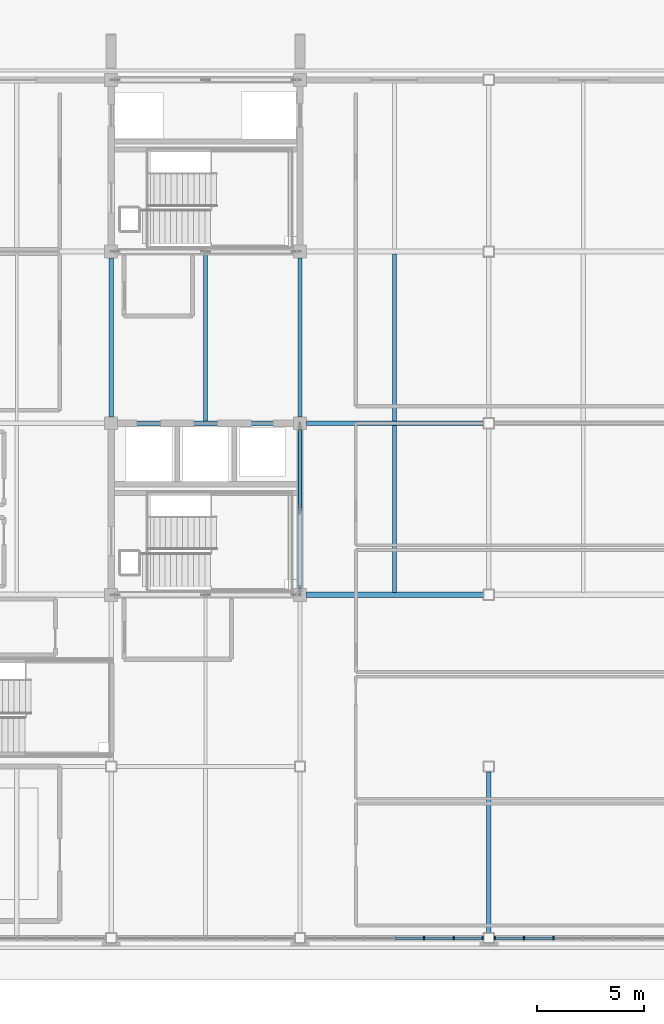
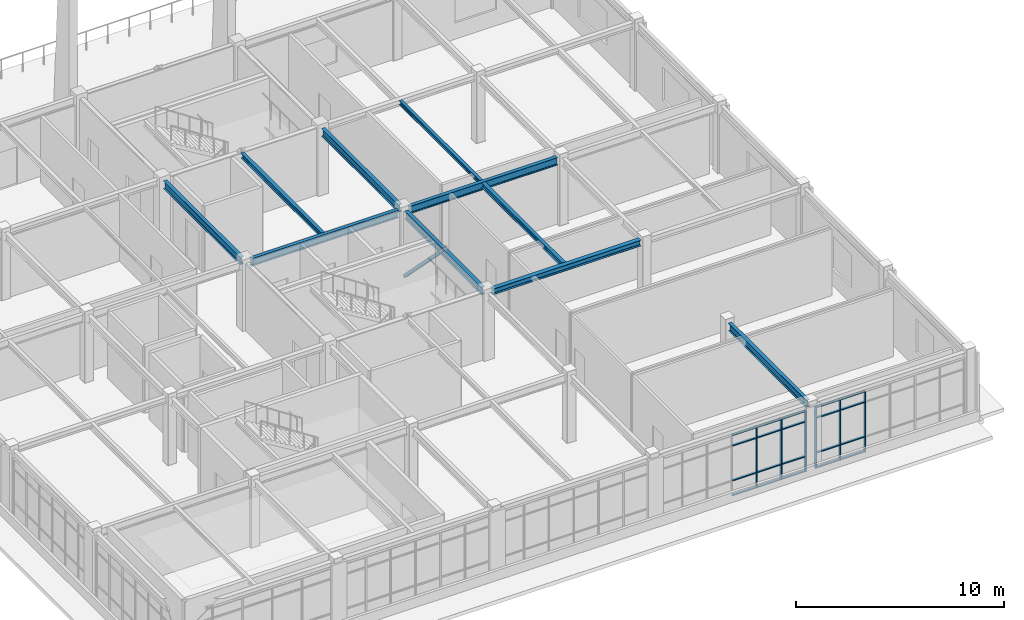
# One storey, part 6 of 22: 27 members, 10 beams, 2 elements without a shape of their own.
"""IFC4 building model written with IfcOpenShell, lengths in metres."""

import ifcopenshell
import ifcopenshell.guid

model = None  # the IFC model being written
_history = None  # IfcOwnerHistory: only IFC2X3 demands one
_inside = {}  # id of a spatial element -> (the spatial element, [elements in it])
_under = {}  # id of a project, library or spatial element -> (it, [spatial elements below it])
_declared = {}  # id of a project -> (the project, [libraries it declares])
_typed = {}  # id of a type object -> (the type object, [elements of that type])
_made_of = {}  # id of a material, layer set ... -> (it, [elements and type objects made of it])


def new_model(schema):
    """Start an empty IFC model of exactly this schema.

    Asked for "IFC4X3", IfcOpenShell would pick the latest addendum, in which some entities
    have other attributes; the version numbers below select the first issue.
    IFC2X3 requires an IfcOwnerHistory on every rooted entity: one is made here for all.
    """
    global model, _history
    if schema == "IFC4X3":
        model = ifcopenshell.file(schema_version=(4, 3, 0, 0))
    else:
        model = ifcopenshell.file(schema=schema)
    _inside.clear()
    _under.clear()
    _declared.clear()
    _typed.clear()
    _made_of.clear()
    _history = None
    if model.schema == "IFC2X3":
        org = make("IfcOrganization", Name="unknown")
        user = make(
            "IfcPersonAndOrganization",
            ThePerson=make("IfcPerson", FamilyName="unknown"),
            TheOrganization=org,
        )
        app = make(
            "IfcApplication",
            ApplicationDeveloper=org,
            Version="unknown",
            ApplicationFullName="unknown",
            ApplicationIdentifier="unknown",
        )
        _history = make(
            "IfcOwnerHistory",
            OwningUser=user,
            OwningApplication=app,
            ChangeAction="ADDED",
            CreationDate=0,
        )
    return model


def make(cls, **values):
    """One entity of the class cls with the attributes given. An attribute that is None is left unset."""
    return model.create_entity(
        cls, **{name: value for name, value in values.items() if value is not None}
    )


def rooted(cls, **values):
    """An entity with a GlobalId (a new one), such as an element, a storey or a relation."""
    return make(cls, GlobalId=ifcopenshell.guid.new(), OwnerHistory=_history, **values)


def si_unit(unit_type, name, prefix=None):
    """IfcSIUnit, for example si_unit("LENGTHUNIT", "METRE", prefix="MILLI")."""
    return make("IfcSIUnit", UnitType=unit_type, Prefix=prefix, Name=name)


def assignment(units):
    """IfcUnitAssignment: the units of a project."""
    return None if units is None else make("IfcUnitAssignment", Units=units)


def point(xyz):
    """IfcCartesianPoint."""
    return None if xyz is None else make("IfcCartesianPoint", Coordinates=xyz)


def direction(xyz):
    """IfcDirection."""
    return None if xyz is None else make("IfcDirection", DirectionRatios=xyz)


def frame(location, z_axis=None, x_axis=None):
    """IfcAxis2Placement3D, a coordinate frame: its origin and axes. An axis left out is left unset."""
    return make(
        "IfcAxis2Placement3D",
        Location=point(location),
        Axis=direction(z_axis),
        RefDirection=direction(x_axis),
    )


def frame_2d(location, x_axis=None):
    """IfcAxis2Placement2D, a coordinate frame in the plane: its origin and x axis."""
    return make(
        "IfcAxis2Placement2D", Location=point(location), RefDirection=direction(x_axis)
    )


def origin():
    """The frame at (0, 0, 0) with its axes left unset."""
    return frame((0.0, 0.0, 0.0))


def origin_2d():
    """The frame at (0, 0) in the plane with its x axis left unset."""
    return frame_2d((0.0, 0.0))


def place(relative_to, where):
    """IfcLocalPlacement: puts the frame where relative to a parent placement (None: the world)."""
    return make(
        "IfcLocalPlacement", PlacementRelTo=relative_to, RelativePlacement=where
    )


def context(
    kind, dimensions, precision=None, world=None, true_north=None, identifier=None
):
    """IfcGeometricRepresentationContext, for example the 3D "Model" context."""
    return make(
        "IfcGeometricRepresentationContext",
        ContextIdentifier=identifier,
        ContextType=kind,
        CoordinateSpaceDimension=dimensions,
        Precision=precision,
        WorldCoordinateSystem=world,
        TrueNorth=true_north,
    )


def subcontext(parent, identifier, kind, view, scale=None):
    """IfcGeometricRepresentationSubContext, for example "Body" below "Model"."""
    return make(
        "IfcGeometricRepresentationSubContext",
        ContextIdentifier=identifier,
        ContextType=kind,
        ParentContext=parent,
        TargetScale=scale,
        TargetView=view,
    )


def project(units=None, contexts=None):
    """IfcProject with its units and contexts."""
    return rooted(
        "IfcProject",
        Name="project",
        RepresentationContexts=contexts,
        UnitsInContext=assignment(units),
    )


def spatial(cls, under=None, at=None, **own):
    """A site, building, storey or space (cls), placed at a placement, below another one or the project."""
    s = rooted(cls, ObjectPlacement=at, **own)
    if under is not None:
        _under.setdefault(under.id(), (under, []))[1].append(s)
    return s


def profile(cls, at=None, kind="AREA", **sizes):
    """A parametric profile (cls). Its sizes go by their IFC names, for example OverallWidth=200.0."""
    return make(cls, ProfileType=kind, Position=at, **sizes)


def rectangle(**sizes):
    """IfcRectangleProfileDef."""
    return profile("IfcRectangleProfileDef", **sizes)


def hollow_rectangle(**sizes):
    """IfcRectangleHollowProfileDef."""
    return profile("IfcRectangleHollowProfileDef", **sizes)


def i_section(**sizes):
    """IfcIShapeProfileDef."""
    return profile("IfcIShapeProfileDef", **sizes)


def extrude(swept, where, along, depth):
    """IfcExtrudedAreaSolid: the profile swept, set in the frame where, extruded along a direction by depth."""
    return make(
        "IfcExtrudedAreaSolid",
        SweptArea=swept,
        Position=where,
        ExtrudedDirection=direction(along),
        Depth=depth,
    )


def shape(context_of_items, identifier, shape_type, items):
    """IfcShapeRepresentation: the items that make up one representation, for example the "Body"."""
    return make(
        "IfcShapeRepresentation",
        ContextOfItems=context_of_items,
        RepresentationIdentifier=identifier,
        RepresentationType=shape_type,
        Items=items,
    )


def material(Name=None, Category=None):
    """IfcMaterial."""
    return make("IfcMaterial", Name=Name, Category=Category)


def material_profile(
    of_material, cross_section, Name=None, Category=None, Priority=None
):
    """IfcMaterialProfile: a cross section and its material."""
    return make(
        "IfcMaterialProfile",
        Name=Name,
        Material=of_material,
        Profile=cross_section,
        Priority=Priority,
        Category=Category,
    )


def profile_set(profiles, Name=None, composite=None):
    """IfcMaterialProfileSet."""
    return make(
        "IfcMaterialProfileSet",
        Name=Name,
        MaterialProfiles=profiles,
        CompositeProfile=composite,
    )


def made_of(thing, what):
    """Note that an element or type object is made of a material, layer set ...; save() writes the relation."""
    if what is not None:
        _made_of.setdefault(what.id(), (what, []))[1].append(thing)
    return thing


def type_object(cls, material=None, **own):
    """A type object (cls), such as IfcWallType, which elements share."""
    return made_of(rooted(cls, **own), material)


def element(
    cls,
    number,
    at=None,
    inside=None,
    cuts=None,
    type_object=None,
    material=None,
    context=None,
    identifier="Body",
    shape_type=None,
    held_by="IfcProductDefinitionShape",
    body=None,
    shapes=None,
    **own,
):
    """One element of the class cls, such as IfcWall. Its Tag is "e" and its number.

    at: its placement. inside: the storey or other place that contains it. cuts: it is an
    opening in that element (IfcRelVoidsElement). A single representation is given by context,
    identifier, shape_type and body (its items); several are given by shapes. held_by: the class
    of the entity that holds the representations. save() writes the other relations.
    """
    e = rooted(cls, Tag="e%d" % number, ObjectPlacement=at, **own)
    if body is not None:
        shapes = [shape(context, identifier, shape_type, body)]
    if shapes is not None:
        e.Representation = make(held_by, Representations=shapes)
    if inside is not None:
        _inside.setdefault(inside.id(), (inside, []))[1].append(e)
    if cuts is not None:
        rooted(
            "IfcRelVoidsElement", RelatingBuildingElement=cuts, RelatedOpeningElement=e
        )
    if type_object is not None:
        _typed.setdefault(type_object.id(), (type_object, []))[1].append(e)
    return made_of(e, material)


def aggregate(whole, parts):
    """IfcRelAggregates: a whole, such as a stair, and the parts it consists of."""
    return rooted("IfcRelAggregates", RelatingObject=whole, RelatedObjects=parts)


def save(model, path):
    """Write the relations noted so far, then the file.

    IfcRelAggregates (storeys below a building ...), IfcRelContainedInSpatialStructure (elements
    in a storey), IfcRelDefinesByType, IfcRelAssociatesMaterial and IfcRelDeclares: one each for
    every whole, place, type object, material and project.
    """
    for whole, parts in _under.values():
        aggregate(whole, parts)
    for where, things in _inside.values():
        rooted(
            "IfcRelContainedInSpatialStructure",
            RelatedElements=things,
            RelatingStructure=where,
        )
    for kind, things in _typed.values():
        rooted("IfcRelDefinesByType", RelatedObjects=things, RelatingType=kind)
    for what, things in _made_of.values():
        rooted("IfcRelAssociatesMaterial", RelatedObjects=things, RelatingMaterial=what)
    for by, libraries in _declared.values():
        rooted("IfcRelDeclares", RelatingContext=by, RelatedDefinitions=libraries)
    model.write(path)


model = new_model("IFC4")

# Units and contexts
model_context = context("Model", 3, precision=1e-05, world=origin(), true_north=direction((0.0, 1.0)))
body_context = subcontext(model_context, "Body", "Model", "MODEL_VIEW")
ifc_project = project(units=[si_unit("LENGTHUNIT", "METRE"), si_unit("AREAUNIT", "SQUARE_METRE"), si_unit("VOLUMEUNIT", "CUBIC_METRE"), si_unit("PLANEANGLEUNIT", "RADIAN"), si_unit("MASSUNIT", "GRAM", prefix="KILO")], contexts=[model_context])

# Site, building, storey
site_placement = place(None, origin())
site = spatial("IfcSite", under=ifc_project, at=site_placement, CompositionType="ELEMENT")
building_placement = place(site_placement, origin())
building = spatial("IfcBuilding", under=site, at=building_placement, Name="Zhaolan Boulevard Law Courts", CompositionType="ELEMENT")
storey_placement = place(building_placement, frame((0.0, 0.0, 28.800048828125)))
storey = spatial("IfcBuildingStorey", under=building, at=storey_placement, Name="L06", CompositionType="ELEMENT", Elevation=28.800048828125)

# Member
ifc_material_1 = material(Name="Structural steel Q355B", Category="steel")
ifc_material_profile_1 = material_profile(ifc_material_1, hollow_rectangle(XDim=0.179931640625, YDim=0.179931640625, WallThickness=0.008056640625, InnerFilletRadius=0.008056640625, OuterFilletRadius=0.01611328125, at=origin_2d()), Name="HSS180x180x8")
ifc_profile_set_1 = profile_set([ifc_material_profile_1], Name="Structural steel Q355B")
member_type_1 = type_object("IfcMemberType", Name="BRACE HSS180", PredefinedType="BRACE", material=ifc_profile_set_1)
member_1_placement = place(storey_placement, frame((26.39990234375, 53.820068359375, 0.030029296875), z_axis=(0.0, -0.700674230962, 0.713481339676), x_axis=(1.0, 0.0, 0.0)))
element("IfcMember", 1, at=member_1_placement, inside=storey, type_object=member_type_1, Name="Core Brace BR-W1-L06-E2", PredefinedType="BRACE", context=body_context, shape_type="SweptSolid", body=[
    extrude(hollow_rectangle(XDim=0.179931640625, YDim=0.179931640625, WallThickness=0.008056640625, InnerFilletRadius=0.008056640625, OuterFilletRadius=0.01611328125, at=origin_2d()), origin(), (0.0, 0.0, 1.0), 5.451904296875),
])

# Curtain wall, members
ifc_material_2 = material(Name="Thermally broken aluminium and low-E glazing", Category="aluminium")
curtain_wall_type_1 = type_object("IfcCurtainWallType", Name="CURTAIN WALL M11", PredefinedType="USERDEFINED", material=ifc_material_2)
curtain_wall_1_placement = place(storey_placement, origin())
curtain_wall_1 = element("IfcCurtainWall", 2, at=curtain_wall_1_placement, inside=storey, type_object=curtain_wall_type_1, Name="Curtain Wall CW-L06-227", ObjectType="CURTAIN WALL", PredefinedType="USERDEFINED")
ifc_material_3 = material(Name="Fluorocarbon-coated aluminium 6063-T6", Category="aluminium")
ifc_material_profile_2 = material_profile(ifc_material_3, rectangle(XDim=0.159912109375, YDim=0.06005859375, at=origin_2d()), Name="AL60x160")
ifc_profile_set_2 = profile_set([ifc_material_profile_2], Name="Fluorocarbon-coated aluminium 6063-T6")
member_type_2 = type_object("IfcMemberType", Name="CWMULLION 60X160", PredefinedType="MULLION", material=ifc_profile_set_2)
member_2_placement = place(storey_placement, frame((32.1826171875, 30.0, 0.0), z_axis=(0.0, 0.0, 1.0), x_axis=(0.0, 1.0, 0.0)))
member_2 = element("IfcMember", 3, at=member_2_placement, type_object=member_type_2, Name="CW-L06-227 mullion 5", PredefinedType="MULLION", context=body_context, shape_type="SweptSolid", body=[
    extrude(rectangle(XDim=0.159912109375, YDim=0.06005859375, at=origin_2d()), origin(), (0.0, 0.0, 1.0), 3.593017578125),
])
member_3_placement = place(storey_placement, frame((33.5654296875, 30.0, 0.0), z_axis=(0.0, 0.0, 1.0), x_axis=(0.0, 1.0, 0.0)))
member_3 = element("IfcMember", 4, at=member_3_placement, type_object=member_type_2, Name="CW-L06-227 mullion 6", PredefinedType="MULLION", context=body_context, shape_type="SweptSolid", body=[
    extrude(rectangle(XDim=0.159912109375, YDim=0.06005859375, at=origin_2d()), origin(), (0.0, 0.0, 1.0), 3.593017578125),
])
member_4_placement = place(storey_placement, frame((34.91796875, 30.0, 0.0), z_axis=(0.0, 0.0, 1.0), x_axis=(0.0, 1.0, 0.0)))
member_4 = element("IfcMember", 5, at=member_4_placement, type_object=member_type_2, Name="CW-L06-227 mullion 7", PredefinedType="MULLION", context=body_context, shape_type="SweptSolid", body=[
    extrude(rectangle(XDim=0.159912109375, YDim=0.06005859375, at=origin_2d()), origin(), (0.0, 0.0, 1.0), 3.593017578125),
])

ifc_material_4 = material(Name="Thermally broken aluminium and low-E glazing", Category="aluminium")
curtain_wall_type_2 = type_object("IfcCurtainWallType", Name="CURTAIN WALL M12", PredefinedType="USERDEFINED", material=ifc_material_4)
curtain_wall_2_placement = place(storey_placement, origin())
curtain_wall_2 = element("IfcCurtainWall", 6, at=curtain_wall_2_placement, inside=storey, type_object=curtain_wall_type_2, Name="Curtain Wall CW-L06-228", ObjectType="CURTAIN WALL", PredefinedType="USERDEFINED")
member_5_placement = place(storey_placement, frame((35.48193359375, 30.0, 0.0), z_axis=(0.0, 0.0, 1.0), x_axis=(0.0, 1.0, 0.0)))
member_5 = element("IfcMember", 7, at=member_5_placement, type_object=member_type_2, Name="CW-L06-228 mullion 1", PredefinedType="MULLION", context=body_context, shape_type="SweptSolid", body=[
    extrude(rectangle(XDim=0.159912109375, YDim=0.06005859375, at=origin_2d()), origin(), (0.0, 0.0, 1.0), 3.593017578125),
])
member_6_placement = place(storey_placement, frame((36.834716796875, 30.0, 0.0), z_axis=(0.0, 0.0, 1.0), x_axis=(0.0, 1.0, 0.0)))
member_6 = element("IfcMember", 8, at=member_6_placement, type_object=member_type_2, Name="CW-L06-228 mullion 2", PredefinedType="MULLION", context=body_context, shape_type="SweptSolid", body=[
    extrude(rectangle(XDim=0.159912109375, YDim=0.06005859375, at=origin_2d()), origin(), (0.0, 0.0, 1.0), 3.593017578125),
])
member_7_placement = place(storey_placement, frame((38.21728515625, 30.0, 0.0), z_axis=(0.0, 0.0, 1.0), x_axis=(0.0, 1.0, 0.0)))
member_7 = element("IfcMember", 9, at=member_7_placement, type_object=member_type_2, Name="CW-L06-228 mullion 3", PredefinedType="MULLION", context=body_context, shape_type="SweptSolid", body=[
    extrude(rectangle(XDim=0.159912109375, YDim=0.06005859375, at=origin_2d()), origin(), (0.0, 0.0, 1.0), 3.593017578125),
])

# Member
ifc_material_5 = material(Name="Fluorocarbon-coated aluminium 6063-T6", Category="aluminium")
ifc_material_profile_3 = material_profile(ifc_material_5, rectangle(XDim=0.1201171875, YDim=0.06005859375, at=origin_2d()), Name="AL60x120")
ifc_profile_set_3 = profile_set([ifc_material_profile_3], Name="Fluorocarbon-coated aluminium 6063-T6")
member_type_3 = type_object("IfcMemberType", Name="CWTRANSOM 60X120", PredefinedType="USERDEFINED", material=ifc_profile_set_3)
member_8_placement = place(storey_placement, frame((30.830078125, 30.0, 0.030029296875), z_axis=(1.0, 0.0, 0.0), x_axis=(0.0, 1.0, 0.0)))
member_8 = element("IfcMember", 10, at=member_8_placement, type_object=member_type_3, Name="CW-L06-227 transom 4.1", ObjectType="TRANSOM", PredefinedType="USERDEFINED", context=body_context, shape_type="SweptSolid", body=[
    extrude(rectangle(XDim=0.1201171875, YDim=0.06005859375, at=origin_2d()), origin(), (0.0, 0.0, 1.0), 1.322509765625),
])

member_9_placement = place(storey_placement, frame((30.830078125, 30.0, 0.89990234375), z_axis=(1.0, 0.0, 0.0), x_axis=(0.0, 1.0, 0.0)))
member_9 = element("IfcMember", 11, at=member_9_placement, type_object=member_type_3, Name="CW-L06-227 transom 4.2", ObjectType="TRANSOM", PredefinedType="USERDEFINED", context=body_context, shape_type="SweptSolid", body=[
    extrude(rectangle(XDim=0.1201171875, YDim=0.06005859375, at=origin_2d()), origin(), (0.0, 0.0, 1.0), 1.322509765625),
])

member_10_placement = place(storey_placement, frame((30.830078125, 30.0, 2.94287109375), z_axis=(1.0, 0.0, 0.0), x_axis=(0.0, 1.0, 0.0)))
member_10 = element("IfcMember", 12, at=member_10_placement, type_object=member_type_3, Name="CW-L06-227 transom 4.3", ObjectType="TRANSOM", PredefinedType="USERDEFINED", context=body_context, shape_type="SweptSolid", body=[
    extrude(rectangle(XDim=0.1201171875, YDim=0.06005859375, at=origin_2d()), origin(), (0.0, 0.0, 1.0), 1.322509765625),
])

member_11_placement = place(storey_placement, frame((30.830078125, 30.0, 3.56298828125), z_axis=(1.0, 0.0, 0.0), x_axis=(0.0, 1.0, 0.0)))
member_11 = element("IfcMember", 13, at=member_11_placement, type_object=member_type_3, Name="CW-L06-227 transom 4.4", ObjectType="TRANSOM", PredefinedType="USERDEFINED", context=body_context, shape_type="SweptSolid", body=[
    extrude(rectangle(XDim=0.1201171875, YDim=0.06005859375, at=origin_2d()), origin(), (0.0, 0.0, 1.0), 1.322509765625),
])

member_12_placement = place(storey_placement, frame((32.212646484375, 30.0, 0.030029296875), z_axis=(1.0, 0.0, 0.0), x_axis=(0.0, 1.0, 0.0)))
member_12 = element("IfcMember", 14, at=member_12_placement, type_object=member_type_3, Name="CW-L06-227 transom 5.1", ObjectType="TRANSOM", PredefinedType="USERDEFINED", context=body_context, shape_type="SweptSolid", body=[
    extrude(rectangle(XDim=0.1201171875, YDim=0.06005859375, at=origin_2d()), origin(), (0.0, 0.0, 1.0), 1.32275390625),
])

member_13_placement = place(storey_placement, frame((32.212646484375, 30.0, 0.89990234375), z_axis=(1.0, 0.0, 0.0), x_axis=(0.0, 1.0, 0.0)))
member_13 = element("IfcMember", 15, at=member_13_placement, type_object=member_type_3, Name="CW-L06-227 transom 5.2", ObjectType="TRANSOM", PredefinedType="USERDEFINED", context=body_context, shape_type="SweptSolid", body=[
    extrude(rectangle(XDim=0.1201171875, YDim=0.06005859375, at=origin_2d()), origin(), (0.0, 0.0, 1.0), 1.32275390625),
])

member_14_placement = place(storey_placement, frame((32.212646484375, 30.0, 2.94287109375), z_axis=(1.0, 0.0, 0.0), x_axis=(0.0, 1.0, 0.0)))
member_14 = element("IfcMember", 16, at=member_14_placement, type_object=member_type_3, Name="CW-L06-227 transom 5.3", ObjectType="TRANSOM", PredefinedType="USERDEFINED", context=body_context, shape_type="SweptSolid", body=[
    extrude(rectangle(XDim=0.1201171875, YDim=0.06005859375, at=origin_2d()), origin(), (0.0, 0.0, 1.0), 1.32275390625),
])

member_15_placement = place(storey_placement, frame((32.212646484375, 30.0, 3.56298828125), z_axis=(1.0, 0.0, 0.0), x_axis=(0.0, 1.0, 0.0)))
member_15 = element("IfcMember", 17, at=member_15_placement, type_object=member_type_3, Name="CW-L06-227 transom 5.4", ObjectType="TRANSOM", PredefinedType="USERDEFINED", context=body_context, shape_type="SweptSolid", body=[
    extrude(rectangle(XDim=0.1201171875, YDim=0.06005859375, at=origin_2d()), origin(), (0.0, 0.0, 1.0), 1.32275390625),
])

member_16_placement = place(storey_placement, frame((33.59521484375, 30.0, 0.030029296875), z_axis=(1.0, 0.0, 0.0), x_axis=(0.0, 1.0, 0.0)))
member_16 = element("IfcMember", 18, at=member_16_placement, type_object=member_type_3, Name="CW-L06-227 transom 6.1", ObjectType="TRANSOM", PredefinedType="USERDEFINED", context=body_context, shape_type="SweptSolid", body=[
    extrude(rectangle(XDim=0.1201171875, YDim=0.06005859375, at=origin_2d()), origin(), (0.0, 0.0, 1.0), 1.292724609375),
])

member_17_placement = place(storey_placement, frame((33.59521484375, 30.0, 0.89990234375), z_axis=(1.0, 0.0, 0.0), x_axis=(0.0, 1.0, 0.0)))
member_17 = element("IfcMember", 19, at=member_17_placement, type_object=member_type_3, Name="CW-L06-227 transom 6.2", ObjectType="TRANSOM", PredefinedType="USERDEFINED", context=body_context, shape_type="SweptSolid", body=[
    extrude(rectangle(XDim=0.1201171875, YDim=0.06005859375, at=origin_2d()), origin(), (0.0, 0.0, 1.0), 1.292724609375),
])

member_18_placement = place(storey_placement, frame((33.59521484375, 30.0, 2.94287109375), z_axis=(1.0, 0.0, 0.0), x_axis=(0.0, 1.0, 0.0)))
member_18 = element("IfcMember", 20, at=member_18_placement, type_object=member_type_3, Name="CW-L06-227 transom 6.3", ObjectType="TRANSOM", PredefinedType="USERDEFINED", context=body_context, shape_type="SweptSolid", body=[
    extrude(rectangle(XDim=0.1201171875, YDim=0.06005859375, at=origin_2d()), origin(), (0.0, 0.0, 1.0), 1.292724609375),
])

member_19_placement = place(storey_placement, frame((33.59521484375, 30.0, 3.56298828125), z_axis=(1.0, 0.0, 0.0), x_axis=(0.0, 1.0, 0.0)))
member_19 = element("IfcMember", 21, at=member_19_placement, type_object=member_type_3, Name="CW-L06-227 transom 6.4", ObjectType="TRANSOM", PredefinedType="USERDEFINED", context=body_context, shape_type="SweptSolid", body=[
    extrude(rectangle(XDim=0.1201171875, YDim=0.06005859375, at=origin_2d()), origin(), (0.0, 0.0, 1.0), 1.292724609375),
])

aggregate(curtain_wall_1, [member_2, member_3, member_4, member_8, member_9, member_10, member_11, member_12, member_13, member_14, member_15, member_16, member_17, member_18, member_19])

member_20_placement = place(storey_placement, frame((35.511962890625, 30.0, 0.030029296875), z_axis=(1.0, 0.0, 0.0), x_axis=(0.0, 1.0, 0.0)))
member_20 = element("IfcMember", 22, at=member_20_placement, type_object=member_type_3, Name="CW-L06-228 transom 1.1", ObjectType="TRANSOM", PredefinedType="USERDEFINED", context=body_context, shape_type="SweptSolid", body=[
    extrude(rectangle(XDim=0.1201171875, YDim=0.06005859375, at=origin_2d()), origin(), (0.0, 0.0, 1.0), 1.292724609375),
])

member_21_placement = place(storey_placement, frame((35.511962890625, 30.0, 0.89990234375), z_axis=(1.0, 0.0, 0.0), x_axis=(0.0, 1.0, 0.0)))
member_21 = element("IfcMember", 23, at=member_21_placement, type_object=member_type_3, Name="CW-L06-228 transom 1.2", ObjectType="TRANSOM", PredefinedType="USERDEFINED", context=body_context, shape_type="SweptSolid", body=[
    extrude(rectangle(XDim=0.1201171875, YDim=0.06005859375, at=origin_2d()), origin(), (0.0, 0.0, 1.0), 1.292724609375),
])

member_22_placement = place(storey_placement, frame((35.511962890625, 30.0, 2.94287109375), z_axis=(1.0, 0.0, 0.0), x_axis=(0.0, 1.0, 0.0)))
member_22 = element("IfcMember", 24, at=member_22_placement, type_object=member_type_3, Name="CW-L06-228 transom 1.3", ObjectType="TRANSOM", PredefinedType="USERDEFINED", context=body_context, shape_type="SweptSolid", body=[
    extrude(rectangle(XDim=0.1201171875, YDim=0.06005859375, at=origin_2d()), origin(), (0.0, 0.0, 1.0), 1.292724609375),
])

member_23_placement = place(storey_placement, frame((35.511962890625, 30.0, 3.56298828125), z_axis=(1.0, 0.0, 0.0), x_axis=(0.0, 1.0, 0.0)))
member_23 = element("IfcMember", 25, at=member_23_placement, type_object=member_type_3, Name="CW-L06-228 transom 1.4", ObjectType="TRANSOM", PredefinedType="USERDEFINED", context=body_context, shape_type="SweptSolid", body=[
    extrude(rectangle(XDim=0.1201171875, YDim=0.06005859375, at=origin_2d()), origin(), (0.0, 0.0, 1.0), 1.292724609375),
])

member_24_placement = place(storey_placement, frame((36.86474609375, 30.0, 0.030029296875), z_axis=(1.0, 0.0, 0.0), x_axis=(0.0, 1.0, 0.0)))
member_24 = element("IfcMember", 26, at=member_24_placement, type_object=member_type_3, Name="CW-L06-228 transom 2.1", ObjectType="TRANSOM", PredefinedType="USERDEFINED", context=body_context, shape_type="SweptSolid", body=[
    extrude(rectangle(XDim=0.1201171875, YDim=0.06005859375, at=origin_2d()), origin(), (0.0, 0.0, 1.0), 1.322509765625),
])

member_25_placement = place(storey_placement, frame((36.86474609375, 30.0, 0.89990234375), z_axis=(1.0, 0.0, 0.0), x_axis=(0.0, 1.0, 0.0)))
member_25 = element("IfcMember", 27, at=member_25_placement, type_object=member_type_3, Name="CW-L06-228 transom 2.2", ObjectType="TRANSOM", PredefinedType="USERDEFINED", context=body_context, shape_type="SweptSolid", body=[
    extrude(rectangle(XDim=0.1201171875, YDim=0.06005859375, at=origin_2d()), origin(), (0.0, 0.0, 1.0), 1.322509765625),
])

member_26_placement = place(storey_placement, frame((36.86474609375, 30.0, 2.94287109375), z_axis=(1.0, 0.0, 0.0), x_axis=(0.0, 1.0, 0.0)))
member_26 = element("IfcMember", 28, at=member_26_placement, type_object=member_type_3, Name="CW-L06-228 transom 2.3", ObjectType="TRANSOM", PredefinedType="USERDEFINED", context=body_context, shape_type="SweptSolid", body=[
    extrude(rectangle(XDim=0.1201171875, YDim=0.06005859375, at=origin_2d()), origin(), (0.0, 0.0, 1.0), 1.322509765625),
])

member_27_placement = place(storey_placement, frame((36.86474609375, 30.0, 3.56298828125), z_axis=(1.0, 0.0, 0.0), x_axis=(0.0, 1.0, 0.0)))
member_27 = element("IfcMember", 29, at=member_27_placement, type_object=member_type_3, Name="CW-L06-228 transom 2.4", ObjectType="TRANSOM", PredefinedType="USERDEFINED", context=body_context, shape_type="SweptSolid", body=[
    extrude(rectangle(XDim=0.1201171875, YDim=0.06005859375, at=origin_2d()), origin(), (0.0, 0.0, 1.0), 1.322509765625),
])

aggregate(curtain_wall_2, [member_5, member_6, member_7, member_20, member_21, member_22, member_23, member_24, member_25, member_26, member_27])

# Beams
ifc_material_6 = material(Name="Structural steel Q355B", Category="steel")
ifc_material_profile_4 = material_profile(ifc_material_6, i_section(OverallWidth=0.199951171875, OverallDepth=0.449951171875, WebThickness=0.009033203125, FlangeThickness=0.013916015625, FilletRadius=0.01611328125, at=origin_2d()), Name="HN450x200")
ifc_profile_set_4 = profile_set([ifc_material_profile_4], Name="Structural steel Q355B")
beam_type_1 = type_object("IfcBeamType", Name="GIRDER HN450", PredefinedType="BEAM", material=ifc_profile_set_4)
beam_1_placement = place(storey_placement, frame((17.89599609375, 54.0, 3.722900390625), z_axis=(1.0, 0.0, 0.0), x_axis=(0.0, 1.0, 0.0)))
element("IfcBeam", 30, at=beam_1_placement, inside=storey, type_object=beam_type_1, Name="Beam BX-L07-3-4-H", PredefinedType="BEAM", context=body_context, shape_type="SweptSolid", body=[
    extrude(i_section(OverallWidth=0.199951171875, OverallDepth=0.449951171875, WebThickness=0.009033203125, FlangeThickness=0.013916015625, FilletRadius=0.01611328125, at=origin_2d()), origin(), (0.0, 0.0, 1.0), 8.2080078125),
])
beam_2_placement = place(storey_placement, frame((26.696044921875, 54.0, 3.722900390625), z_axis=(1.0, 0.0, 0.0), x_axis=(0.0, 1.0, 0.0)))
element("IfcBeam", 31, at=beam_2_placement, inside=storey, type_object=beam_type_1, Name="Beam BX-L07-4-5-H", PredefinedType="BEAM", context=body_context, shape_type="SweptSolid", body=[
    extrude(i_section(OverallWidth=0.199951171875, OverallDepth=0.449951171875, WebThickness=0.009033203125, FlangeThickness=0.013916015625, FilletRadius=0.01611328125, at=origin_2d()), origin(), (0.0, 0.0, 1.0), 8.258056640625),
])
for number, where, z_axis, x_axis, name in (
    (32, (17.60009765625, 54.2958984375, 3.722900390625), (0.0, 1.0, 0.0), (-1.0, 0.0, 0.0), "Beam BY-L07-3-H-J"),
    (33, (26.39990234375, 46.2958984375, 3.722900390625), (0.0, 1.0, 0.0), (-1.0, 0.0, 0.0), "Beam BY-L07-4-G-H"),
    (34, (26.39990234375, 54.2958984375, 3.722900390625), (0.0, 1.0, 0.0), (-1.0, 0.0, 0.0), "Beam BY-L07-4-H-J"),
):
    element("IfcBeam", number, at=place(storey_placement, frame(where, z_axis=z_axis, x_axis=x_axis)), inside=storey, type_object=beam_type_1, Name=name, PredefinedType="BEAM", context=body_context, shape_type="SweptSolid", body=[
        extrude(i_section(OverallWidth=0.199951171875, OverallDepth=0.449951171875, WebThickness=0.009033203125, FlangeThickness=0.013916015625, FilletRadius=0.01611328125, at=origin_2d()), origin(), (0.0, 0.0, 1.0), 7.408203125),
    ])
beam_3_placement = place(storey_placement, frame((35.199951171875, 30.24609375, 3.722900390625), z_axis=(0.0, 1.0, 0.0), x_axis=(-1.0, 0.0, 0.0)))
element("IfcBeam", 35, at=beam_3_placement, inside=storey, type_object=beam_type_1, Name="Beam BY-L07-5-E-F", PredefinedType="BEAM", context=body_context, shape_type="SweptSolid", body=[
    extrude(i_section(OverallWidth=0.199951171875, OverallDepth=0.449951171875, WebThickness=0.009033203125, FlangeThickness=0.013916015625, FilletRadius=0.01611328125, at=origin_2d()), origin(), (0.0, 0.0, 1.0), 7.5078125),
])
ifc_material_7 = material(Name="Structural steel Q355B", Category="steel")
ifc_material_profile_5 = material_profile(ifc_material_7, i_section(OverallWidth=0.175048828125, OverallDepth=0.243896484375, WebThickness=0.007080078125, FlangeThickness=0.010986328125, FilletRadius=0.012939453125, at=origin_2d()), Name="HM244x175")
ifc_profile_set_5 = profile_set([ifc_material_profile_5], Name="Structural steel Q355B")
beam_type_2 = type_object("IfcBeamType", Name="JOIST HM244", PredefinedType="JOIST", material=ifc_profile_set_5)
beam_4_placement = place(storey_placement, frame((30.800048828125, 54.095947265625, 3.825927734375), z_axis=(0.0, 1.0, 0.0), x_axis=(-1.0, 0.0, 0.0)))
element("IfcBeam", 36, at=beam_4_placement, inside=storey, type_object=beam_type_2, Name="Composite Joist J-L07-4H", PredefinedType="JOIST", context=body_context, shape_type="SweptSolid", body=[
    extrude(i_section(OverallWidth=0.175048828125, OverallDepth=0.243896484375, WebThickness=0.007080078125, FlangeThickness=0.010986328125, FilletRadius=0.012939453125, at=origin_2d()), origin(), (0.0, 0.0, 1.0), 7.782958984375),
])
ifc_material_8 = material(Name="Structural steel Q355B", Category="steel")
ifc_material_profile_6 = material_profile(ifc_material_8, i_section(OverallWidth=0.199951171875, OverallDepth=0.2939453125, WebThickness=0.008056640625, FlangeThickness=0.011962890625, FilletRadius=0.01611328125, at=origin_2d()), Name="HM294x200")
ifc_profile_set_6 = profile_set([ifc_material_profile_6], Name="Structural steel Q355B")
beam_type_3 = type_object("IfcBeamType", Name="JOIST HM294", PredefinedType="JOIST", material=ifc_profile_set_6)
for number, where, z_axis, x_axis, name in (
    (37, (22.0, 54.095947265625, 3.801025390625), (0.0, 1.0, 0.0), (-1.0, 0.0, 0.0), "Composite Joist J-L07-3H"),
    (38, (30.800048828125, 46.12109375, 3.801025390625), (0.0, 1.0, 0.0), (-1.0, 0.0, 0.0), "Composite Joist J-L07-4G"),
):
    element("IfcBeam", number, at=place(storey_placement, frame(where, z_axis=z_axis, x_axis=x_axis)), inside=storey, type_object=beam_type_3, Name=name, PredefinedType="JOIST", context=body_context, shape_type="SweptSolid", body=[
        extrude(i_section(OverallWidth=0.199951171875, OverallDepth=0.2939453125, WebThickness=0.008056640625, FlangeThickness=0.011962890625, FilletRadius=0.01611328125, at=origin_2d()), origin(), (0.0, 0.0, 1.0), 7.782958984375),
    ])
ifc_material_9 = material(Name="Structural steel Q355B", Category="steel")
ifc_material_profile_7 = material_profile(ifc_material_9, i_section(OverallWidth=0.25, OverallDepth=0.340087890625, WebThickness=0.009033203125, FlangeThickness=0.013916015625, FilletRadius=0.01611328125, at=origin_2d()), Name="HM340x250")
ifc_profile_set_7 = profile_set([ifc_material_profile_7], Name="Structural steel Q355B")
beam_type_4 = type_object("IfcBeamType", Name="SPANDREL HM340", PredefinedType="SPANDREL", material=ifc_profile_set_7)
beam_5_placement = place(storey_placement, frame((26.696044921875, 46.0, 3.77783203125), z_axis=(1.0, 0.0, 0.0), x_axis=(0.0, 1.0, 0.0)))
element("IfcBeam", 39, at=beam_5_placement, inside=storey, type_object=beam_type_4, Name="Beam BX-L07-4-5-G", PredefinedType="SPANDREL", context=body_context, shape_type="SweptSolid", body=[
    extrude(i_section(OverallWidth=0.25, OverallDepth=0.340087890625, WebThickness=0.009033203125, FlangeThickness=0.013916015625, FilletRadius=0.01611328125, at=origin_2d()), origin(), (0.0, 0.0, 1.0), 8.258056640625),
])

save(model, "model.ifc")
